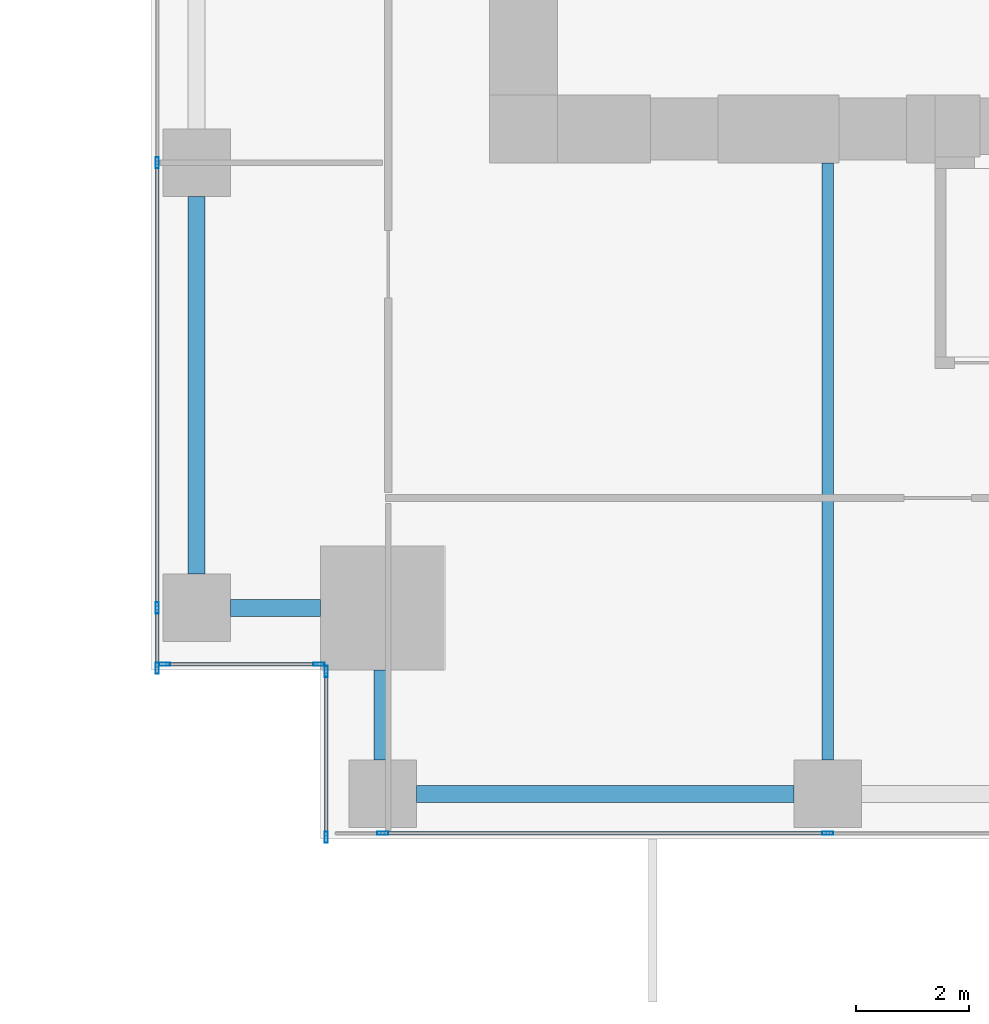
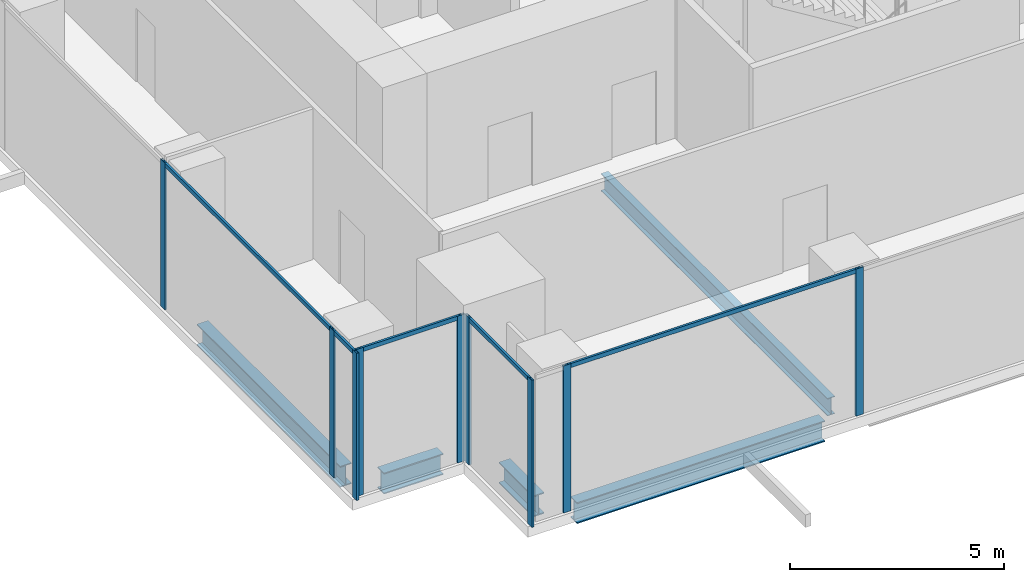
# One storey, part 2 of 33: 14 members, 5 beams, 4 elements without a shape of their own.
"""IFC4 building model written with IfcOpenShell, lengths in metres."""

from ifc_helpers import new_model, si_unit, direction, frame, origin, origin_2d, place, context, subcontext, project, spatial, hollow_rectangle, i_section, extrude, source, transform, mapped, material, material_profile, profile_set, type_object, element, aggregate, save


model = new_model("IFC4")

# Units and contexts
model_context = context("Model", 3, precision=1e-05, world=origin(), true_north=direction((0.0, 1.0)))
body_context = subcontext(model_context, "Body", "Model", "MODEL_VIEW")
ifc_project = project(units=[si_unit("LENGTHUNIT", "METRE"), si_unit("AREAUNIT", "SQUARE_METRE"), si_unit("VOLUMEUNIT", "CUBIC_METRE"), si_unit("PLANEANGLEUNIT", "RADIAN"), si_unit("MASSUNIT", "GRAM", prefix="KILO")], contexts=[model_context])

# Site, building, storey
site_placement = place(None, origin())
site = spatial("IfcSite", under=ifc_project, at=site_placement, CompositionType="ELEMENT")
building_placement = place(site_placement, origin())
building = spatial("IfcBuilding", under=site, at=building_placement, Name="Khomas Fold Tower", CompositionType="ELEMENT")
storey_placement = place(building_placement, frame((0.0, 0.0, 78.0)))
storey = spatial("IfcBuildingStorey", under=building, at=storey_placement, Name="L16", CompositionType="ELEMENT", Elevation=78.0)

# Beams
ifc_material_1 = material(Name="Steel S355", Category="steel")
ifc_material_profile_1 = material_profile(ifc_material_1, i_section(OverallWidth=0.199951171875, OverallDepth=0.5, WebThickness=0.01025390625, FlangeThickness=0.01611328125, at=origin_2d()), Name="IPE 500")
ifc_profile_set_1 = profile_set([ifc_material_profile_1], Name="Steel S355")
beam_type_1 = type_object("IfcBeamType", Name="IPE 500 beam JB5", PredefinedType="BEAM", material=ifc_profile_set_1)
shared_shape_1 = source(origin(), body_context, "Body", "SweptSolid", [
    extrude(i_section(OverallWidth=0.199951171875, OverallDepth=0.5, WebThickness=0.01025390625, FlangeThickness=0.01611328125, at=origin_2d()), origin(), (0.0, 0.0, 1.0), 10.60009765625),
])
beam_placement = place(storey_placement, frame((12.0, 1.39990234375, -0.550048828125), z_axis=(0.0, 1.0, 0.0), x_axis=(-1.0, 0.0, 0.0)))
element("IfcBeam", 1, at=beam_placement, inside=storey, type_object=beam_type_1, Name="JB5", PredefinedType="BEAM", context=body_context, shape_type="MappedRepresentation", body=[
    mapped(shared_shape_1, transform((0.0, 0.0, 0.0))),
])
ifc_material_2 = material(Name="Steel S355", Category="steel")
ifc_material_profile_2 = material_profile(ifc_material_2, i_section(OverallWidth=0.300048828125, OverallDepth=0.60009765625, WebThickness=0.015380859375, FlangeThickness=0.030029296875, at=origin_2d()), Name="HE 600 B")
ifc_profile_set_2 = profile_set([ifc_material_profile_2], Name="Steel S355")
beam_type_2 = type_object("IfcBeamType", Name="HE 600 B spandrel SB1", PredefinedType="SPANDREL", material=ifc_profile_set_2)
shared_shape_2 = source(origin(), body_context, "Body", "SweptSolid", [
    extrude(i_section(OverallWidth=0.300048828125, OverallDepth=0.60009765625, WebThickness=0.015380859375, FlangeThickness=0.030029296875, at=origin_2d()), origin(), (0.0, 0.0, 1.0), 6.699951171875),
])
for number, where, z_axis, x_axis, name in (
    (2, (4.699951171875, 0.800048828125, -0.60009765625), (1.0, 0.0, 0.0), (0.0, 1.0, 0.0), "SB1"),
    (3, (0.800048828125, 4.699951171875, -0.60009765625), (0.0, 1.0, 0.0), (-1.0, 0.0, 0.0), "SB1"),
):
    element("IfcBeam", number, at=place(storey_placement, frame(where, z_axis=z_axis, x_axis=x_axis)), inside=storey, type_object=beam_type_2, Name=name, PredefinedType="SPANDREL", context=body_context, shape_type="MappedRepresentation", body=[
        mapped(shared_shape_2, transform((0.0, 0.0, 0.0))),
    ])
shared_shape_3 = source(origin(), body_context, "Body", "SweptSolid", [
    extrude(i_section(OverallWidth=0.300048828125, OverallDepth=0.60009765625, WebThickness=0.015380859375, FlangeThickness=0.030029296875, at=origin_2d()), origin(), (0.0, 0.0, 1.0), 1.60009765625),
])
for number, where, z_axis, x_axis, name in (
    (4, (1.39990234375, 4.10009765625, -0.60009765625), (1.0, 0.0, 0.0), (0.0, 1.0, 0.0), "SB1"),
    (5, (4.10009765625, 1.39990234375, -0.60009765625), (0.0, 1.0, 0.0), (-1.0, 0.0, 0.0), "SB1"),
):
    element("IfcBeam", number, at=place(storey_placement, frame(where, z_axis=z_axis, x_axis=x_axis)), inside=storey, type_object=beam_type_2, Name=name, PredefinedType="SPANDREL", context=body_context, shape_type="MappedRepresentation", body=[
        mapped(shared_shape_3, transform((0.0, 0.0, 0.0))),
    ])

# Curtain wall, member
ifc_material_3 = material(Name="Aluminium framed double glazing", Category="aluminium")
curtain_wall_type = type_object("IfcCurtainWallType", Name="SK-Unitised clear-glass wall, growing floors CW1", PredefinedType="NOTDEFINED", material=ifc_material_3)
curtain_wall_1_placement = place(storey_placement, origin())
curtain_wall_1 = element("IfcCurtainWall", 6, at=curtain_wall_1_placement, inside=storey, type_object=curtain_wall_type, Name="CW1 run L16 00-0", PredefinedType="NOTDEFINED")
ifc_material_4 = material(Name="Aluminium", Category="aluminium")
ifc_material_profile_3 = material_profile(ifc_material_4, hollow_rectangle(XDim=0.06005859375, YDim=0.1201171875, WallThickness=0.00390625, at=origin_2d()), Name="SK-Unitised clear-glass wall, growing floors transom CW1-T")
ifc_profile_set_3 = profile_set([ifc_material_profile_3], Name="Aluminium")
member_type_1 = type_object("IfcMemberType", Name="SK-Unitised clear-glass wall, growing floors transom CW1-T", PredefinedType="USERDEFINED", material=ifc_profile_set_3)
shared_shape_4 = source(origin(), body_context, "Body", "SweptSolid", [
    extrude(hollow_rectangle(XDim=0.06005859375, YDim=0.1201171875, WallThickness=0.00390625, at=origin_2d()), origin(), (0.0, 0.0, 1.0), 7.840087890625),
])
member_1_placement = place(storey_placement, frame((4.1298828125, 0.10009765625, 4.139892578125), z_axis=(1.0, 0.0, 0.0), x_axis=(0.0, 1.0, 0.0)))
member_1 = element("IfcMember", 7, at=member_1_placement, type_object=member_type_1, Name="CW1 transom 2", ObjectType="TRANSOM", PredefinedType="USERDEFINED", context=body_context, shape_type="MappedRepresentation", body=[
    mapped(shared_shape_4, transform((0.0, 0.0, 0.0))),
])

# Curtain wall, members
curtain_wall_2_placement = place(storey_placement, origin())
curtain_wall_2 = element("IfcCurtainWall", 8, at=curtain_wall_2_placement, inside=storey, type_object=curtain_wall_type, Name="CW1 run L16 09-0", PredefinedType="NOTDEFINED")
member_2_placement = place(storey_placement, frame((0.10009765625, 11.969970703125, 4.139892578125), z_axis=(0.0, -1.0, 0.0), x_axis=(1.0, 0.0, 0.0)))
member_2 = element("IfcMember", 9, at=member_2_placement, type_object=member_type_1, Name="CW1 transom 7", ObjectType="TRANSOM", PredefinedType="USERDEFINED", context=body_context, shape_type="MappedRepresentation", body=[
    mapped(shared_shape_4, transform((0.0, 0.0, 0.0))),
])
shared_shape_5 = source(origin(), body_context, "Body", "SweptSolid", [
    extrude(hollow_rectangle(XDim=0.06005859375, YDim=0.1201171875, WallThickness=0.00390625, at=origin_2d()), origin(), (0.0, 0.0, 1.0), 1.010009765625),
])
member_3_placement = place(storey_placement, frame((0.10009765625, 4.070068359375, 4.139892578125), z_axis=(0.0, -1.0, 0.0), x_axis=(1.0, 0.0, 0.0)))
member_3 = element("IfcMember", 10, at=member_3_placement, type_object=member_type_1, Name="CW1 transom 8", ObjectType="TRANSOM", PredefinedType="USERDEFINED", context=body_context, shape_type="MappedRepresentation", body=[
    mapped(shared_shape_5, transform((0.0, 0.0, 0.0))),
])

# Curtain wall, member
curtain_wall_3_placement = place(storey_placement, origin())
curtain_wall_3 = element("IfcCurtainWall", 11, at=curtain_wall_3_placement, inside=storey, type_object=curtain_wall_type, Name="CW1 corner return L16 10", PredefinedType="NOTDEFINED")
shared_shape_6 = source(origin(), body_context, "Body", "SweptSolid", [
    extrude(hollow_rectangle(XDim=0.06005859375, YDim=0.1201171875, WallThickness=0.00390625, at=origin_2d()), origin(), (0.0, 0.0, 1.0), 2.679931640625),
])
member_4_placement = place(storey_placement, frame((0.260009765625, 3.10009765625, 4.139892578125), z_axis=(1.0, 0.0, 0.0), x_axis=(0.0, 1.0, 0.0)))
member_4 = element("IfcMember", 12, at=member_4_placement, type_object=member_type_1, Name="CW1 transom 1", ObjectType="TRANSOM", PredefinedType="USERDEFINED", context=body_context, shape_type="MappedRepresentation", body=[
    mapped(shared_shape_6, transform((0.0, 0.0, 0.0))),
])

curtain_wall_4_placement = place(storey_placement, origin())
curtain_wall_4 = element("IfcCurtainWall", 13, at=curtain_wall_4_placement, inside=storey, type_object=curtain_wall_type, Name="CW1 corner return L16 11", PredefinedType="NOTDEFINED")
shared_shape_7 = source(origin(), body_context, "Body", "SweptSolid", [
    extrude(hollow_rectangle(XDim=0.06005859375, YDim=0.1201171875, WallThickness=0.00390625, at=origin_2d()), origin(), (0.0, 0.0, 1.0), 2.8798828125),
])
member_5_placement = place(storey_placement, frame((3.10009765625, 2.93994140625, 4.139892578125), z_axis=(0.0, -1.0, 0.0), x_axis=(1.0, 0.0, 0.0)))
member_5 = element("IfcMember", 14, at=member_5_placement, type_object=member_type_1, Name="CW1 transom 1", ObjectType="TRANSOM", PredefinedType="USERDEFINED", context=body_context, shape_type="MappedRepresentation", body=[
    mapped(shared_shape_7, transform((0.0, 0.0, 0.0))),
])

# Member
ifc_material_5 = material(Name="Aluminium", Category="aluminium")
ifc_material_profile_4 = material_profile(ifc_material_5, hollow_rectangle(XDim=0.06005859375, YDim=0.199951171875, WallThickness=0.00390625, at=origin_2d()), Name="SK-Unitised clear-glass wall, growing floors mullion CW1-M")
ifc_profile_set_4 = profile_set([ifc_material_profile_4], Name="Aluminium")
member_type_2 = type_object("IfcMemberType", Name="SK-Unitised clear-glass wall, growing floors mullion CW1-M", PredefinedType="MULLION", material=ifc_profile_set_4)
shared_shape_8 = source(origin(), body_context, "Body", "SweptSolid", [
    extrude(hollow_rectangle(XDim=0.06005859375, YDim=0.199951171875, WallThickness=0.00390625, at=origin_2d()), origin(), (0.0, 0.0, 1.0), 4.199951171875),
])
member_6_placement = place(storey_placement, frame((4.10009765625, 0.10009765625, 0.0), z_axis=(0.0, 0.0, 1.0), x_axis=(0.0, 1.0, 0.0)))
member_6 = element("IfcMember", 15, at=member_6_placement, type_object=member_type_2, Name="CW1 mullion 2", PredefinedType="MULLION", context=body_context, shape_type="MappedRepresentation", body=[
    mapped(shared_shape_8, transform((0.0, 0.0, 0.0))),
])

member_7_placement = place(storey_placement, frame((12.0, 0.10009765625, 0.0), z_axis=(0.0, 0.0, 1.0), x_axis=(0.0, 1.0, 0.0)))
member_7 = element("IfcMember", 16, at=member_7_placement, type_object=member_type_2, Name="CW1 mullion 3", PredefinedType="MULLION", context=body_context, shape_type="MappedRepresentation", body=[
    mapped(shared_shape_8, transform((0.0, 0.0, 0.0))),
])

aggregate(curtain_wall_1, [member_6, member_7, member_1])

member_8_placement = place(storey_placement, frame((0.10009765625, 12.0, 0.0), z_axis=(0.0, 0.0, 1.0), x_axis=(1.0, 0.0, 0.0)))
member_8 = element("IfcMember", 17, at=member_8_placement, type_object=member_type_2, Name="CW1 mullion 7", PredefinedType="MULLION", context=body_context, shape_type="MappedRepresentation", body=[
    mapped(shared_shape_8, transform((0.0, 0.0, 0.0))),
])

member_9_placement = place(storey_placement, frame((0.10009765625, 4.10009765625, 0.0), z_axis=(0.0, 0.0, 1.0), x_axis=(1.0, 0.0, 0.0)))
member_9 = element("IfcMember", 18, at=member_9_placement, type_object=member_type_2, Name="CW1 mullion 8", PredefinedType="MULLION", context=body_context, shape_type="MappedRepresentation", body=[
    mapped(shared_shape_8, transform((0.0, 0.0, 0.0))),
])

member_10_placement = place(storey_placement, frame((0.10009765625, 3.030029296875, 0.0), z_axis=(0.0, 0.0, 1.0), x_axis=(1.0, 0.0, 0.0)))
member_10 = element("IfcMember", 19, at=member_10_placement, type_object=member_type_2, Name="CW1 mullion 9", PredefinedType="MULLION", context=body_context, shape_type="MappedRepresentation", body=[
    mapped(shared_shape_8, transform((0.0, 0.0, 0.0))),
])

aggregate(curtain_wall_2, [member_8, member_9, member_10, member_2, member_3])

member_11_placement = place(storey_placement, frame((0.22998046875, 3.10009765625, 0.0), z_axis=(0.0, 0.0, 1.0), x_axis=(0.0, 1.0, 0.0)))
member_11 = element("IfcMember", 20, at=member_11_placement, type_object=member_type_2, Name="CW1 mullion 1", PredefinedType="MULLION", context=body_context, shape_type="MappedRepresentation", body=[
    mapped(shared_shape_8, transform((0.0, 0.0, 0.0))),
])

member_12_placement = place(storey_placement, frame((2.969970703125, 3.10009765625, 0.0), z_axis=(0.0, 0.0, 1.0), x_axis=(0.0, 1.0, 0.0)))
member_12 = element("IfcMember", 21, at=member_12_placement, type_object=member_type_2, Name="CW1 mullion 2", PredefinedType="MULLION", context=body_context, shape_type="MappedRepresentation", body=[
    mapped(shared_shape_8, transform((0.0, 0.0, 0.0))),
])

aggregate(curtain_wall_3, [member_11, member_12, member_4])

member_13_placement = place(storey_placement, frame((3.10009765625, 2.969970703125, 0.0), z_axis=(0.0, 0.0, 1.0), x_axis=(1.0, 0.0, 0.0)))
member_13 = element("IfcMember", 22, at=member_13_placement, type_object=member_type_2, Name="CW1 mullion 1", PredefinedType="MULLION", context=body_context, shape_type="MappedRepresentation", body=[
    mapped(shared_shape_8, transform((0.0, 0.0, 0.0))),
])

member_14_placement = place(storey_placement, frame((3.10009765625, 0.030029296875, 0.0), z_axis=(0.0, 0.0, 1.0), x_axis=(1.0, 0.0, 0.0)))
member_14 = element("IfcMember", 23, at=member_14_placement, type_object=member_type_2, Name="CW1 mullion 2", PredefinedType="MULLION", context=body_context, shape_type="MappedRepresentation", body=[
    mapped(shared_shape_8, transform((0.0, 0.0, 0.0))),
])

aggregate(curtain_wall_4, [member_13, member_14, member_5])

save(model, "model.ifc")
